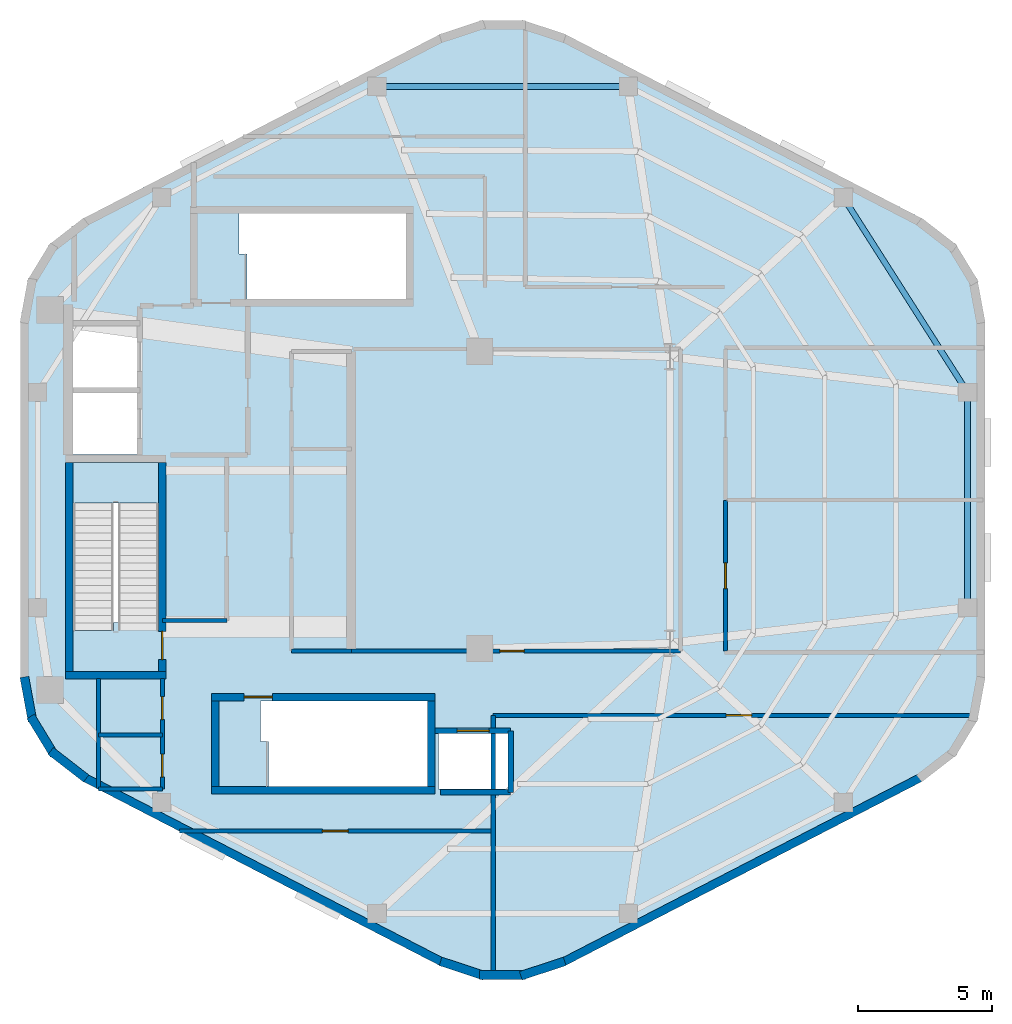
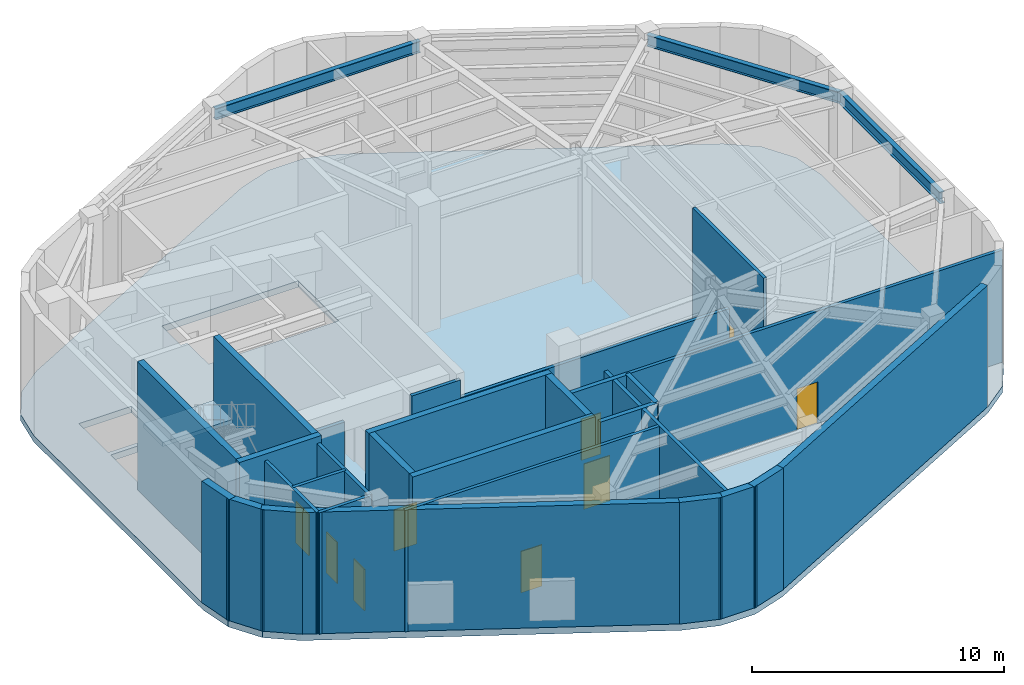
# One storey, part 2 of 5: 29 walls, 9 doors, 3 beams, 2 slabs, 9 openings, 1 element without a shape of its own.
"""IFC4 building model written with IfcOpenShell, lengths in metres."""

from ifc_helpers import new_model, si_unit, direction, frame, frame_2d, origin, origin_2d, place, context, subcontext, project, spatial, polyline, rectangle, i_section, outline, extrude, material, layer, layer_set, material_profile, profile_set, type_object, element, fill, aggregate, save


model = new_model("IFC4")

# Units and contexts
model_context = context("Model", 3, precision=1e-05, world=origin(), true_north=direction((0.0, 1.0)))
body_context = subcontext(model_context, "Body", "Model", "MODEL_VIEW")
ifc_project = project(units=[si_unit("LENGTHUNIT", "METRE"), si_unit("AREAUNIT", "SQUARE_METRE"), si_unit("VOLUMEUNIT", "CUBIC_METRE"), si_unit("PLANEANGLEUNIT", "RADIAN"), si_unit("MASSUNIT", "GRAM", prefix="KILO"), si_unit("THERMODYNAMICTEMPERATUREUNIT", "KELVIN"), si_unit("POWERUNIT", "WATT")], contexts=[model_context])

# Site, building, storey
site_placement = place(None, origin())
site = spatial("IfcSite", under=ifc_project, at=site_placement, CompositionType="ELEMENT")
building_placement = place(site_placement, origin())
building = spatial("IfcBuilding", under=site, at=building_placement, Name="Skarre Station Tower", CompositionType="ELEMENT")
storey_placement = place(building_placement, frame((0.0, 0.0, 285.10009765625)))
storey = spatial("IfcBuildingStorey", under=building, at=storey_placement, Name="L77", CompositionType="ELEMENT", Elevation=285.10009765625)

# Beams
ifc_material_1 = material(Name="Steel ASTM A992 Grade 50", Category="steel")
ifc_material_profile = material_profile(ifc_material_1, i_section(OverallWidth=0.214111328125, OverallDepth=0.549072265625, WebThickness=0.014892578125, FlangeThickness=0.02392578125, at=origin_2d()), Name="Steel ASTM A992 Grade 50")
ifc_profile_set = profile_set([ifc_material_profile], Name="Steel ASTM A992 Grade 50")
beam_type = type_object("IfcBeamType", Name="Steel Spandrel W21X93", PredefinedType="SPANDREL", material=ifc_profile_set)
beam_1_placement = place(storey_placement, frame((37.888916015625, 39.447021484375, 5.60595703125), z_axis=(-1.0, 0.0, 0.0), x_axis=(0.0, -1.0, 0.0)))
element("IfcBeam", 1, at=beam_1_placement, inside=storey, type_object=beam_type, Name="L77 Facet Spandrel Beam 2", PredefinedType="SPANDREL", context=body_context, shape_type="SweptSolid", body=[
    extrude(i_section(OverallWidth=0.214111328125, OverallDepth=0.549072265625, WebThickness=0.014892578125, FlangeThickness=0.02392578125, at=origin_2d()), origin(), (0.0, 0.0, 1.0), 9.3779296875),
])
beam_2_placement = place(storey_placement, frame((50.56298828125, 19.97900390625, 5.60595703125), z_axis=(0.0, 1.0, 0.0), x_axis=(-1.0, 0.0, 0.0)))
element("IfcBeam", 2, at=beam_2_placement, inside=storey, type_object=beam_type, Name="L77 Facet Spandrel Beam 11", PredefinedType="SPANDREL", context=body_context, shape_type="SweptSolid", body=[
    extrude(i_section(OverallWidth=0.214111328125, OverallDepth=0.549072265625, WebThickness=0.014892578125, FlangeThickness=0.02392578125, at=origin_2d()), origin(), (0.0, 0.0, 1.0), 8.0419921875),
])
beam_3_placement = place(storey_placement, frame((50.56298828125, 28.02099609375, 5.60595703125), z_axis=(-0.537296523663, 0.843393410965, 0.0), x_axis=(-0.843393410965, -0.537296523663, 0.0)))
element("IfcBeam", 3, at=beam_3_placement, inside=storey, type_object=beam_type, Name="L77 Facet Spandrel Beam 12", PredefinedType="SPANDREL", context=body_context, shape_type="SweptSolid", body=[
    extrude(i_section(OverallWidth=0.214111328125, OverallDepth=0.549072265625, WebThickness=0.014892578125, FlangeThickness=0.02392578125, at=origin_2d()), origin(), (0.0, 0.0, 1.0), 8.62841796875),
])

# Slab
ifc_material_2 = material(Name="Concrete C50/60", Category="concrete")
ifc_layer_1 = layer(ifc_material_2, 0.31005859375, Name="Concrete C50/60")
ifc_layer_set_1 = layer_set([ifc_layer_1], Name="Concrete C50/60")
slab_type_1 = type_object("IfcSlabType", Name="Podium & Plant Structural Slab 310", PredefinedType="FLOOR", material=ifc_layer_set_1)
slab_1_placement = place(storey_placement, frame((0.0, 0.0, -0.31005859375)))
element("IfcSlab", 4, at=slab_1_placement, inside=storey, type_object=slab_type_1, Name="L77 Zone 4 Structural Floor Slab", PredefinedType="FLOOR", context=body_context, shape_type="SweptSolid", body=[
    extrude(outline(polyline([(51.212890625, 30.701904296875), (50.93310546875, 32.222900390625), (50.1279296875, 33.544921875), (48.905029296875, 34.491943359375), (35.508056640625, 41.407958984375), (33.99609375, 41.906005859375), (32.404052734375, 41.906005859375), (30.89208984375, 41.407958984375), (17.4951171875, 34.491943359375), (16.27197265625, 33.544921875), (15.467041015625, 32.222900390625), (15.18701171875, 30.701904296875), (15.18701171875, 17.298095703125), (15.467041015625, 15.777099609375), (16.27197265625, 14.455078125), (17.4951171875, 13.508056640625), (30.89208984375, 6.592041015625), (32.404052734375, 6.093994140625), (33.99609375, 6.093994140625), (35.508056640625, 6.592041015625), (48.905029296875, 13.508056640625), (50.1279296875, 14.455078125), (50.93310546875, 15.777099609375), (51.212890625, 17.298095703125), (51.212890625, 30.701904296875)]), holes=[polyline([(18.669921875, 19.419921875), (18.669921875, 19.123046875), (17.14990234375, 19.123046875), (17.14990234375, 25.39990234375), (20.35009765625, 25.39990234375), (20.35009765625, 19.419921875), (18.669921875, 19.419921875)]), polyline([(24.449951171875, 14.97998046875), (24.153076171875, 14.97998046875), (24.153076171875, 16.5), (30.39990234375, 16.5), (30.39990234375, 13.300048828125), (24.449951171875, 13.300048828125), (24.449951171875, 14.97998046875)]), polyline([(23.64990234375, 33.179931640625), (23.35302734375, 33.179931640625), (23.35302734375, 34.699951171875), (29.60009765625, 34.699951171875), (29.60009765625, 31.5), (23.64990234375, 31.5), (23.64990234375, 33.179931640625)]), polyline([(17.14990234375, 28.0), (19.550048828125, 28.0), (19.550048828125, 25.699951171875), (17.14990234375, 25.699951171875), (17.14990234375, 28.0)]), polyline([(17.14990234375, 30.5), (19.550048828125, 30.5), (19.550048828125, 28.199951171875), (17.14990234375, 28.199951171875), (17.14990234375, 30.5)]), polyline([(30.800048828125, 15.300048828125), (33.39990234375, 15.300048828125), (33.39990234375, 13.199951171875), (30.800048828125, 13.199951171875), (30.800048828125, 15.300048828125)])]), origin(), (0.0, 0.0, 1.0), 0.31005859375),
])

# Stair, slab
ifc_material_3 = material(Name="Concrete C40/50", Category="concrete")
stair_type = type_object("IfcStairType", Name="Reinforced Concrete Exit Stair ST-1", PredefinedType="HALF_TURN_STAIR", material=ifc_material_3)
stair_placement = place(storey_placement, origin())
stair = element("IfcStair", 5, at=stair_placement, inside=storey, type_object=stair_type, Name="L77 Core Exit Stair ST-1", PredefinedType="HALF_TURN_STAIR")
ifc_layer_2 = layer(ifc_material_3, 0.219970703125, Name="Concrete C40/50")
ifc_layer_set_2 = layer_set([ifc_layer_2], Name="Concrete C40/50")
slab_type_2 = type_object("IfcSlabType", Name="Reinforced Concrete Stair & Ramp Landing 220", PredefinedType="LANDING", material=ifc_layer_set_2)
slab_2_placement = place(storey_placement, frame((0.0, 0.0, 2.89990234375)))
slab_2 = element("IfcSlab", 6, at=slab_2_placement, type_object=slab_type_2, Name="ST-1 landing 1", PredefinedType="LANDING", context=body_context, shape_type="SweptSolid", body=[
    extrude(outline(polyline([(20.35009765625, 23.8798828125), (20.35009765625, 25.39990234375), (17.14990234375, 25.39990234375), (17.14990234375, 23.8798828125), (20.35009765625, 23.8798828125)])), origin(), (0.0, 0.0, 1.0), 0.199951171875),
])
aggregate(stair, [slab_2])

# Walls
ifc_material_4 = material(Name="Acoustic Steel-Stud Gypsum Partition", Category="steel")
ifc_layer_3 = layer(ifc_material_4, 0.14990234375, Name="Acoustic Steel-Stud Gypsum Partition")
ifc_layer_set_3 = layer_set([ifc_layer_3], Name="Acoustic Steel-Stud Gypsum Partition")
wall_type_1 = type_object("IfcWallType", Name="Fire-Rated Corridor Acoustic Partition 150", PredefinedType="PARTITIONING", material=ifc_layer_set_3)
wall_1_placement = place(storey_placement, frame((20.489990234375, 19.5, 0.0), z_axis=(0.0, 0.0, 1.0), x_axis=(1.0, 0.0, 0.0)))
element("IfcWall", 7, at=wall_1_placement, inside=storey, type_object=wall_type_1, Name="L77 Interior Partition WL-PT-L77-B3-S", PredefinedType="PARTITIONING", context=body_context, shape_type="SweptSolid", body=[
    extrude(rectangle(XDim=2.409912109375, YDim=0.159912109375, at=frame_2d((1.205078125, 0.0))), origin(), (0.0, 0.0, 1.0), 4.77978515625),
])
wall_2_placement = place(storey_placement, frame((25.320068359375, 18.360107421875, 0.0), z_axis=(0.0, 0.0, 1.0), x_axis=(1.0, 0.0, 0.0)))
element("IfcWall", 8, at=wall_2_placement, inside=storey, type_object=wall_type_1, Name="L77 Interior Partition WL-PT-L77-RC2-S", PredefinedType="PARTITIONING", context=body_context, shape_type="SweptSolid", body=[
    extrude(rectangle(XDim=2.22998046875, YDim=0.14990234375, at=frame_2d((1.114990234375, 0.0))), origin(), (0.0, 0.0, 1.0), 5.8798828125),
])
wall_3_placement = place(storey_placement, frame((18.10009765625, 17.340087890625, 0.0), z_axis=(0.0, 0.0, 1.0), x_axis=(0.0, -1.0, 0.0)))
element("IfcWall", 9, at=wall_3_placement, inside=storey, type_object=wall_type_1, Name="L77 Interior Partition WL-PT-L77-CSVC-W", PredefinedType="PARTITIONING", context=body_context, shape_type="SweptSolid", body=[
    extrude(rectangle(XDim=4.133056640625, YDim=0.14990234375, at=frame_2d((2.06640625, 0.0))), origin(), (0.0, 0.0, 1.0), 5.8798828125),
])
wall_4_placement = place(storey_placement, frame((18.113037109375, 13.199951171875, 0.0), z_axis=(0.0, 0.0, 1.0), x_axis=(1.0, 0.0, 0.0)))
element("IfcWall", 10, at=wall_4_placement, inside=storey, type_object=wall_type_1, Name="L77 Interior Partition WL-PT-L77-CSVC-S", PredefinedType="PARTITIONING", context=body_context, shape_type="SweptSolid", body=[
    extrude(rectangle(XDim=2.376953125, YDim=0.14990234375, at=frame_2d((1.1884765625, 0.0))), origin(), (0.0, 0.0, 1.0), 5.8798828125),
])
wall_5_placement = place(storey_placement, frame((18.10009765625, 15.219970703125, 0.0), z_axis=(0.0, 0.0, 1.0), x_axis=(1.0, 0.0, 0.0)))
element("IfcWall", 11, at=wall_5_placement, inside=storey, type_object=wall_type_1, Name="L77 Interior Partition WL-PT-L77-CSVC-M", PredefinedType="PARTITIONING", context=body_context, shape_type="SweptSolid", body=[
    extrude(rectangle(XDim=2.389892578125, YDim=0.14990234375, at=frame_2d((1.19482421875, 0.0))), origin(), (0.0, 0.0, 1.0), 5.8798828125),
])

# Wall, openings, doors
wall_6_placement = place(storey_placement, frame((20.489990234375, 13.199951171875, 0.0), z_axis=(0.0, 0.0, 1.0), x_axis=(0.0, 1.0, 0.0)))
wall_6 = element("IfcWall", 12, at=wall_6_placement, inside=storey, type_object=wall_type_1, Name="L77 Interior Partition WL-PT-L77-CSVC-E", PredefinedType="PARTITIONING", context=body_context, shape_type="SweptSolid", body=[
    extrude(rectangle(XDim=4.14013671875, YDim=0.14990234375, at=frame_2d((2.070068359375, 0.0))), origin(), (0.0, 0.0, 1.0), 5.8798828125),
])
opening_1_placement = place(wall_6_placement, frame((0.449951171875, 0.0, 0.0)))
opening_1 = element("IfcOpeningElement", 13, at=opening_1_placement, cuts=wall_6, Name="Opening DR-SVC86", PredefinedType="OPENING", context=body_context, shape_type="SweptSolid", body=[
    extrude(rectangle(XDim=0.860107421875, YDim=2.0, at=frame_2d((0.43017578125, 1.0))), frame((0.0, 0.0849609375, 0.0), z_axis=(0.0, -1.0, 0.0), x_axis=(1.0, 0.0, 0.0)), (0.0, 0.0, 1.0), 0.169921875),
])
opening_2_placement = place(wall_6_placement, frame((2.60009765625, 0.0, 0.0)))
opening_2 = element("IfcOpeningElement", 14, at=opening_2_placement, cuts=wall_6, Name="Opening DR-SVC86", PredefinedType="OPENING", context=body_context, shape_type="SweptSolid", body=[
    extrude(rectangle(XDim=0.860107421875, YDim=2.0, at=frame_2d((0.43017578125, 1.0))), frame((0.0, 0.0849609375, 0.0), z_axis=(0.0, -1.0, 0.0), x_axis=(1.0, 0.0, 0.0)), (0.0, 0.0, 1.0), 0.169921875),
])
ifc_material_5 = material(Name="Powder-Coated Hollow-Metal Acoustic Fire Leaf", Category="steel")
door_type_1 = type_object("IfcDoorType", Name="Compact Riser Fire Door FD60 860x2100", OperationType="SINGLE_SWING_LEFT", PredefinedType="DOOR", material=ifc_material_5)
door_1_placement = place(opening_1_placement, origin())
door_1 = element("IfcDoor", 15, at=door_1_placement, inside=storey, type_object=door_type_1, Name="L77 Vending Room Door", OperationType="SINGLE_SWING_LEFT", OverallHeight=2.0, OverallWidth=0.860107421875, PredefinedType="DOOR", context=body_context, shape_type="SweptSolid", body=[
    extrude(rectangle(XDim=0.860107421875, YDim=2.0, at=frame_2d((0.43017578125, 1.0))), frame((0.0, 0.02490234375, 0.0), z_axis=(0.0, -1.0, 0.0), x_axis=(1.0, 0.0, 0.0)), (0.0, 0.0, 1.0), 0.050048828125),
])
fill(opening_1, door_1)
door_2_placement = place(opening_2_placement, origin())
door_2 = element("IfcDoor", 16, at=door_2_placement, inside=storey, type_object=door_type_1, Name="L77 Linen Storage Door", OperationType="SINGLE_SWING_LEFT", OverallHeight=2.0, OverallWidth=0.860107421875, PredefinedType="DOOR", context=body_context, shape_type="SweptSolid", body=[
    extrude(rectangle(XDim=0.860107421875, YDim=2.0, at=frame_2d((0.43017578125, 1.0))), frame((0.0, 0.02490234375, 0.0), z_axis=(0.0, -1.0, 0.0), x_axis=(1.0, 0.0, 0.0)), (0.0, 0.0, 1.0), 0.050048828125),
])
fill(opening_2, door_2)

# Wall, opening, door
wall_7_placement = place(storey_placement, frame((27.550048828125, 18.360107421875, 0.0), z_axis=(0.0, 0.0, 1.0), x_axis=(1.0, 0.0, 0.0)))
wall_7 = element("IfcWall", 17, at=wall_7_placement, inside=storey, type_object=wall_type_1, Name="L77 Interior Partition WL-PT-L77-ATRW-S", PredefinedType="PARTITIONING", context=body_context, shape_type="SweptSolid", body=[
    extrude(rectangle(XDim=12.2900390625, YDim=0.14990234375, at=frame_2d((6.14501953125, 0.0))), origin(), (0.0, 0.0, 1.0), 5.02099609375),
])
opening_3_placement = place(wall_7_placement, frame((5.550048828125, 0.0, 0.0)))
opening_3 = element("IfcOpeningElement", 18, at=opening_3_placement, cuts=wall_7, Name="Opening DR-SVC90", PredefinedType="OPENING", context=body_context, shape_type="SweptSolid", body=[
    extrude(rectangle(XDim=0.89990234375, YDim=2.0, at=frame_2d((0.449951171875, 1.0))), frame((0.0, 0.0849609375, 0.0), z_axis=(0.0, -1.0, 0.0), x_axis=(1.0, 0.0, 0.0)), (0.0, 0.0, 1.0), 0.169921875),
])
door_type_2 = type_object("IfcDoorType", Name="Service & Riser Fire Door FD60 900x2100", OperationType="SINGLE_SWING_LEFT", PredefinedType="DOOR", material=ifc_material_5)
door_3_placement = place(opening_3_placement, origin())
door_3 = element("IfcDoor", 19, at=door_3_placement, inside=storey, type_object=door_type_2, Name="L77 Central Chiller Plant Door", OperationType="SINGLE_SWING_LEFT", OverallHeight=2.0, OverallWidth=0.89990234375, PredefinedType="DOOR", context=body_context, shape_type="SweptSolid", body=[
    extrude(rectangle(XDim=0.89990234375, YDim=2.0, at=frame_2d((0.449951171875, 1.0))), frame((0.0, 0.02490234375, 0.0), z_axis=(0.0, -1.0, 0.0), x_axis=(1.0, 0.0, 0.0)), (0.0, 0.0, 1.0), 0.050048828125),
])
fill(opening_3, door_3)

wall_8_placement = place(storey_placement, frame((32.85009765625, 11.639892578125, 0.0), z_axis=(0.0, 0.0, 1.0), x_axis=(-1.0, 0.0, 0.0)))
wall_8 = element("IfcWall", 20, at=wall_8_placement, inside=storey, type_object=wall_type_1, Name="L77 Interior Partition WL-PT-L77-PLTSW1-CW", PredefinedType="PARTITIONING", context=body_context, shape_type="SweptSolid", body=[
    extrude(rectangle(XDim=11.715087890625, YDim=0.14990234375, at=frame_2d((5.857421875, 0.0))), origin(), (0.0, 0.0, 1.0), 5.8798828125),
])
opening_4_placement = place(wall_8_placement, frame((5.4208984375, 0.0, 0.0)))
opening_4 = element("IfcOpeningElement", 21, at=opening_4_placement, cuts=wall_8, Name="Opening DR-FD60", PredefinedType="OPENING", context=body_context, shape_type="SweptSolid", body=[
    extrude(rectangle(XDim=0.9599609375, YDim=2.0, at=frame_2d((0.47998046875, 1.0))), frame((0.0, 0.0849609375, 0.0), z_axis=(0.0, -1.0, 0.0), x_axis=(1.0, 0.0, 0.0)), (0.0, 0.0, 1.0), 0.169921875),
])
ifc_material_6 = material(Name="Nordic White-Oak Veneer Solid-Core Fire Leaf", Category="wood")
door_type_3 = type_object("IfcDoorType", Name="Corridor Suite Entry Fire Door FD60 960x2150", OperationType="SINGLE_SWING_LEFT", PredefinedType="DOOR", material=ifc_material_6)
door_4_placement = place(opening_4_placement, origin())
door_4 = element("IfcDoor", 22, at=door_4_placement, inside=storey, type_object=door_type_3, Name="L77 PLTSW1 Entry Door", OperationType="SINGLE_SWING_LEFT", OverallHeight=2.0, OverallWidth=0.9599609375, PredefinedType="DOOR", context=body_context, shape_type="SweptSolid", body=[
    extrude(rectangle(XDim=0.9599609375, YDim=2.0, at=frame_2d((0.47998046875, 1.0))), frame((0.0, 0.02490234375, 0.0), z_axis=(0.0, -1.0, 0.0), x_axis=(1.0, 0.0, 0.0)), (0.0, 0.0, 1.0), 0.050048828125),
])
fill(opening_4, door_4)

wall_9_placement = place(storey_placement, frame((41.52001953125, 18.360107421875, 0.0), z_axis=(0.0, 0.0, 1.0), x_axis=(0.0, 1.0, 0.0)))
wall_9 = element("IfcWall", 23, at=wall_9_placement, inside=storey, type_object=wall_type_1, Name="L77 Interior Partition WL-PT-L77-PLTE1-CW", PredefinedType="PARTITIONING", context=body_context, shape_type="SweptSolid", body=[
    extrude(rectangle(XDim=5.621826171875, YDim=0.14990234375, at=frame_2d((2.81103515625, 0.0))), origin(), (0.0, 0.0, 1.0), 5.8798828125),
])
opening_5_placement = place(wall_9_placement, frame((2.3310546875, 0.0, 0.0)))
opening_5 = element("IfcOpeningElement", 24, at=opening_5_placement, cuts=wall_9, Name="Opening DR-FD60", PredefinedType="OPENING", context=body_context, shape_type="SweptSolid", body=[
    extrude(rectangle(XDim=0.9599609375, YDim=2.0, at=frame_2d((0.47998046875, 1.0))), frame((0.0, 0.0849609375, 0.0), z_axis=(0.0, -1.0, 0.0), x_axis=(1.0, 0.0, 0.0)), (0.0, 0.0, 1.0), 0.169921875),
])
door_5_placement = place(opening_5_placement, origin())
door_5 = element("IfcDoor", 25, at=door_5_placement, inside=storey, type_object=door_type_3, Name="L77 PLTE1 Entry Door", OperationType="SINGLE_SWING_LEFT", OverallHeight=2.0, OverallWidth=0.9599609375, PredefinedType="DOOR", context=body_context, shape_type="SweptSolid", body=[
    extrude(rectangle(XDim=0.9599609375, YDim=2.0, at=frame_2d((0.47998046875, 1.0))), frame((0.0, 0.02490234375, 0.0), z_axis=(0.0, -1.0, 0.0), x_axis=(1.0, 0.0, 0.0)), (0.0, 0.0, 1.0), 0.050048828125),
])
fill(opening_5, door_5)

wall_10_placement = place(storey_placement, frame((32.85009765625, 15.9599609375, 0.0), z_axis=(0.0, 0.0, 1.0), x_axis=(1.0, 0.0, 0.0)))
wall_10 = element("IfcWall", 26, at=wall_10_placement, inside=storey, type_object=wall_type_1, Name="L77 Interior Partition WL-PT-L77-PLTS1-CW", PredefinedType="PARTITIONING", context=body_context, shape_type="SweptSolid", body=[
    extrude(rectangle(XDim=18.10693359375, YDim=0.14990234375, at=frame_2d((9.053466796875, 0.0))), origin(), (0.0, 0.0, 1.0), 5.4228515625),
])
opening_6_placement = place(wall_10_placement, frame((8.693115234375, 0.0, 0.0)))
opening_6 = element("IfcOpeningElement", 27, at=opening_6_placement, cuts=wall_10, Name="Opening DR-FD60", PredefinedType="OPENING", context=body_context, shape_type="SweptSolid", body=[
    extrude(rectangle(XDim=0.9599609375, YDim=2.0, at=frame_2d((0.47998046875, 1.0))), frame((0.0, 0.0849609375, 0.0), z_axis=(0.0, -1.0, 0.0), x_axis=(1.0, 0.0, 0.0)), (0.0, 0.0, 1.0), 0.169921875),
])
door_6_placement = place(opening_6_placement, origin())
door_6 = element("IfcDoor", 28, at=door_6_placement, inside=storey, type_object=door_type_3, Name="L77 PLTS1 Entry Door", OperationType="SINGLE_SWING_LEFT", OverallHeight=2.0, OverallWidth=0.9599609375, PredefinedType="DOOR", context=body_context, shape_type="SweptSolid", body=[
    extrude(rectangle(XDim=0.9599609375, YDim=2.0, at=frame_2d((0.47998046875, 1.0))), frame((0.0, 0.02490234375, 0.0), z_axis=(0.0, -1.0, 0.0), x_axis=(1.0, 0.0, 0.0)), (0.0, 0.0, 1.0), 0.050048828125),
])
fill(opening_6, door_6)

# Walls
ifc_material_7 = material(Name="Precast concrete C45/55", Category="concrete")
ifc_layer_4 = layer(ifc_material_7, 0.330078125, Name="Precast concrete C45/55")
ifc_layer_set_4 = layer_set([ifc_layer_4], Name="Precast concrete C45/55")
wall_type_2 = type_object("IfcWallType", Name="Nordic Rounded Corner Precast Wall 330", PredefinedType="STANDARD", material=ifc_layer_set_4)
wall_11_placement = place(storey_placement, frame((17.64697265625, 13.59912109375, 0.0), z_axis=(0.0, 0.0, 1.0), x_axis=(-0.790691856293, 0.61221433207, 0.0)))
element("IfcWall", 29, at=wall_11_placement, inside=storey, type_object=wall_type_2, Name="L77 Rounded Corner Precast Wall F3-1", PredefinedType="STANDARD", context=body_context, shape_type="SweptSolid", body=[
    extrude(rectangle(XDim=1.67578125, YDim=0.330078125, at=frame_2d((0.837890625, 0.0))), origin(), (0.0, 0.0, 1.0), 5.8798828125),
])
wall_12_placement = place(storey_placement, frame((16.447021484375, 14.485107421875, 0.0), z_axis=(0.0, 0.0, 1.0), x_axis=(-0.520325409202, 0.853968072318, 0.0)))
element("IfcWall", 30, at=wall_12_placement, inside=storey, type_object=wall_type_2, Name="L77 Rounded Corner Precast Wall F3-2", PredefinedType="STANDARD", context=body_context, shape_type="SweptSolid", body=[
    extrude(rectangle(XDim=1.677978515625, YDim=0.330078125, at=frame_2d((0.8388671875, 0.0))), origin(), (0.0, 0.0, 1.0), 5.8798828125),
])
wall_13_placement = place(storey_placement, frame((15.64111328125, 15.742919921875, 0.0), z_axis=(0.0, 0.0, 1.0), x_axis=(-0.180832605401, 0.983513888475, 0.0)))
element("IfcWall", 31, at=wall_13_placement, inside=storey, type_object=wall_type_2, Name="L77 Rounded Corner Precast Wall F3-3", PredefinedType="STANDARD", context=body_context, shape_type="SweptSolid", body=[
    extrude(rectangle(XDim=1.6767578125, YDim=0.330078125, at=frame_2d((0.83837890625, 0.0))), origin(), (0.0, 0.0, 1.0), 5.8798828125),
])
wall_14_placement = place(storey_placement, frame((35.51806640625, 6.76904296875, 0.0), z_axis=(0.0, 0.0, 1.0), x_axis=(-0.949713440491, -0.313120393699, 0.0)))
element("IfcWall", 32, at=wall_14_placement, inside=storey, type_object=wall_type_2, Name="L77 Rounded Corner Precast Wall F4-1", PredefinedType="STANDARD", context=body_context, shape_type="SweptSolid", body=[
    extrude(rectangle(XDim=1.7216796875, YDim=0.330078125, at=frame_2d((0.86083984375, 0.0))), origin(), (0.0, 0.0, 1.0), 5.8798828125),
])
wall_15_placement = place(storey_placement, frame((34.06103515625, 6.259033203125, 0.0), z_axis=(0.0, 0.0, 1.0), x_axis=(-1.0, 0.0, 0.0)))
element("IfcWall", 33, at=wall_15_placement, inside=storey, type_object=wall_type_2, Name="L77 Rounded Corner Precast Wall F4-2", PredefinedType="STANDARD", context=body_context, shape_type="SweptSolid", body=[
    extrude(rectangle(XDim=1.721923828125, YDim=0.330078125, at=frame_2d((0.86083984375, 0.0))), origin(), (0.0, 0.0, 1.0), 5.8798828125),
])
wall_16_placement = place(storey_placement, frame((32.51708984375, 6.22998046875, 0.0), z_axis=(0.0, 0.0, 1.0), x_axis=(-0.949713440491, 0.313120393699, 0.0)))
element("IfcWall", 34, at=wall_16_placement, inside=storey, type_object=wall_type_2, Name="L77 Rounded Corner Precast Wall F4-3", PredefinedType="STANDARD", context=body_context, shape_type="SweptSolid", body=[
    extrude(rectangle(XDim=1.7216796875, YDim=0.330078125, at=frame_2d((0.86083984375, 0.0))), origin(), (0.0, 0.0, 1.0), 5.8798828125),
])
ifc_layer_5 = layer(ifc_material_7, 0.31005859375, Name="Precast concrete C45/55")
ifc_layer_set_5 = layer_set([ifc_layer_5], Name="Precast concrete C45/55")
wall_type_3 = type_object("IfcWallType", Name="Nordic Upper-Zone Precast Facet Wall 310", PredefinedType="STANDARD", material=ifc_layer_set_5)
for number, where, z_axis, x_axis, name in (
    (35, (30.962890625, 6.72998046875, 0.0), (0.0, 0.0, 1.0), (-0.888581481622, 0.458718814218, 0.0), "L77 Facet 3 Nordic Precast Masonry Wall"),
    (36, (48.833984375, 13.64599609375, 0.0), (0.0, 0.0, 1.0), (-0.888581481622, -0.458718814218, 0.0), "L77 Facet 4 Nordic Precast Masonry Wall"),
):
    element("IfcWall", number, at=place(storey_placement, frame(where, z_axis=z_axis, x_axis=x_axis)), inside=storey, type_object=wall_type_3, Name=name, PredefinedType="STANDARD", context=body_context, shape_type="SweptSolid", body=[
        extrude(rectangle(XDim=15.076904296875, YDim=0.31005859375, at=frame_2d((7.53857421875, 0.0))), origin(), (0.0, 0.0, 1.0), 5.8798828125),
    ])
ifc_layer_6 = layer(ifc_material_2, 0.280029296875, Name="Concrete C50/60")
ifc_layer_set_6 = layer_set([ifc_layer_6], Name="Concrete C50/60")
wall_type_4 = type_object("IfcWallType", Name="RC Core Shear Wall 280", PredefinedType="SHEAR", material=ifc_layer_set_6)
wall_17_placement = place(storey_placement, frame((16.8701171875, 17.4599609375, 0.0), z_axis=(0.0, 0.0, 1.0), x_axis=(1.0, 0.0, 0.0)))
element("IfcWall", 37, at=wall_17_placement, inside=storey, type_object=wall_type_4, Name="L77 Stair ST-1 South Shear Wall", PredefinedType="SHEAR", context=body_context, shape_type="SweptSolid", body=[
    extrude(rectangle(XDim=3.759765625, YDim=0.280029296875, at=frame_2d((1.8798828125, 0.0))), origin(), (0.0, 0.0, 1.0), 6.199951171875),
])
wall_18_placement = place(storey_placement, frame((17.010009765625, 25.39990234375, 0.0), z_axis=(0.0, 0.0, 1.0), x_axis=(0.0, -1.0, 0.0)))
element("IfcWall", 38, at=wall_18_placement, inside=storey, type_object=wall_type_4, Name="L77 Stair ST-1 West Shear Wall", PredefinedType="SHEAR", context=body_context, shape_type="SweptSolid", body=[
    extrude(rectangle(XDim=7.7998046875, YDim=0.280029296875, at=frame_2d((3.89990234375, 0.0))), origin(), (0.0, 0.0, 1.0), 6.199951171875),
])

# Wall, opening, door
wall_19_placement = place(storey_placement, frame((20.489990234375, 17.60009765625, 0.0), z_axis=(0.0, 0.0, 1.0), x_axis=(0.0, 1.0, 0.0)))
wall_19 = element("IfcWall", 39, at=wall_19_placement, inside=storey, type_object=wall_type_4, Name="L77 Stair ST-1 East Shear Wall", PredefinedType="SHEAR", context=body_context, shape_type="SweptSolid", body=[
    extrude(rectangle(XDim=7.7998046875, YDim=0.280029296875, at=frame_2d((3.89990234375, 0.0))), origin(), (0.0, 0.0, 1.0), 6.199951171875),
])
opening_7_placement = place(wall_19_placement, frame((0.43994140625, 0.0, 0.0)))
opening_7 = element("IfcOpeningElement", 40, at=opening_7_placement, cuts=wall_19, Name="Opening DR-FD90", PredefinedType="OPENING", context=body_context, shape_type="SweptSolid", body=[
    extrude(rectangle(XDim=1.050048828125, YDim=2.0, at=frame_2d((0.52490234375, 1.0))), frame((0.0, 0.14990234375, 0.0), z_axis=(0.0, -1.0, 0.0), x_axis=(1.0, 0.0, 0.0)), (0.0, 0.0, 1.0), 0.300048828125),
])
ifc_material_8 = material(Name="Fire-Rated Insulated Steel Frame & Timber Core Leaf", Category="steel")
door_type_4 = type_object("IfcDoorType", Name="Stair & FSAE Lobby Fire Door FD90 1050x2150", OperationType="SINGLE_SWING_RIGHT", PredefinedType="DOOR", material=ifc_material_8)
door_7_placement = place(opening_7_placement, origin())
door_7 = element("IfcDoor", 41, at=door_7_placement, inside=storey, type_object=door_type_4, Name="L77 Stair ST-1 Exit Door", OperationType="SINGLE_SWING_RIGHT", OverallHeight=2.0, OverallWidth=1.050048828125, PredefinedType="DOOR", context=body_context, shape_type="SweptSolid", body=[
    extrude(rectangle(XDim=1.050048828125, YDim=2.0, at=frame_2d((0.52490234375, 1.0))), frame((0.0, 0.02490234375, 0.0), z_axis=(0.0, -1.0, 0.0), x_axis=(1.0, 0.0, 0.0)), (0.0, 0.0, 1.0), 0.050048828125),
])
fill(opening_7, door_7)

# Wall
wall_20_placement = place(storey_placement, frame((22.320068359375, 13.159912109375, 0.0), z_axis=(0.0, 0.0, 1.0), x_axis=(1.0, 0.0, 0.0)))
element("IfcWall", 42, at=wall_20_placement, inside=storey, type_object=wall_type_4, Name="L77 Stair ST-2 South Shear Wall", PredefinedType="SHEAR", context=body_context, shape_type="SweptSolid", body=[
    extrude(rectangle(XDim=8.35986328125, YDim=0.280029296875, at=frame_2d((4.179931640625, 0.0))), origin(), (0.0, 0.0, 1.0), 6.199951171875),
])

# Wall, opening, door
wall_21_placement = place(storey_placement, frame((30.679931640625, 16.639892578125, 0.0), z_axis=(0.0, 0.0, 1.0), x_axis=(-1.0, 0.0, 0.0)))
wall_21 = element("IfcWall", 43, at=wall_21_placement, inside=storey, type_object=wall_type_4, Name="L77 Stair ST-2 North Shear Wall", PredefinedType="SHEAR", context=body_context, shape_type="SweptSolid", body=[
    extrude(rectangle(XDim=8.35986328125, YDim=0.280029296875, at=frame_2d((4.179931640625, 0.0))), origin(), (0.0, 0.0, 1.0), 6.199951171875),
])
opening_8_placement = place(wall_21_placement, frame((6.080078125, 0.0, 0.0)))
opening_8 = element("IfcOpeningElement", 44, at=opening_8_placement, cuts=wall_21, Name="Opening DR-FD90", PredefinedType="OPENING", context=body_context, shape_type="SweptSolid", body=[
    extrude(rectangle(XDim=1.050048828125, YDim=2.0, at=frame_2d((0.52490234375, 1.0))), frame((0.0, 0.14990234375, 0.0), z_axis=(0.0, -1.0, 0.0), x_axis=(1.0, 0.0, 0.0)), (0.0, 0.0, 1.0), 0.300048828125),
])
door_8_placement = place(opening_8_placement, origin())
door_8 = element("IfcDoor", 45, at=door_8_placement, inside=storey, type_object=door_type_4, Name="L77 Stair ST-2 Exit Door", OperationType="SINGLE_SWING_RIGHT", OverallHeight=2.0, OverallWidth=1.050048828125, PredefinedType="DOOR", context=body_context, shape_type="SweptSolid", body=[
    extrude(rectangle(XDim=1.050048828125, YDim=2.0, at=frame_2d((0.52490234375, 1.0))), frame((0.0, 0.02490234375, 0.0), z_axis=(0.0, -1.0, 0.0), x_axis=(1.0, 0.0, 0.0)), (0.0, 0.0, 1.0), 0.050048828125),
])
fill(opening_8, door_8)

# Walls
for number, where, z_axis, x_axis, name in (
    (46, (22.4599609375, 16.5, 0.0), (0.0, 0.0, 1.0), (0.0, -1.0, 0.0), "L77 Stair ST-2 West Shear Wall"),
    (47, (30.5400390625, 13.300048828125, 0.0), (0.0, 0.0, 1.0), (0.0, 1.0, 0.0), "L77 Stair ST-2 East Shear Wall"),
):
    element("IfcWall", number, at=place(storey_placement, frame(where, z_axis=z_axis, x_axis=x_axis)), inside=storey, type_object=wall_type_4, Name=name, PredefinedType="SHEAR", context=body_context, shape_type="SweptSolid", body=[
        extrude(rectangle(XDim=3.199951171875, YDim=0.280029296875, at=frame_2d((1.60009765625, 0.0))), origin(), (0.0, 0.0, 1.0), 6.199951171875),
    ])

# Wall, opening, door
ifc_material_9 = material(Name="Gypsum Concrete Shaft Assembly C30/37", Category="concrete")
ifc_layer_7 = layer(ifc_material_9, 0.199951171875, Name="Gypsum Concrete Shaft Assembly C30/37")
ifc_layer_set_7 = layer_set([ifc_layer_7], Name="Gypsum Concrete Shaft Assembly C30/37")
wall_type_5 = type_object("IfcWallType", Name="Shaft & Core Fire Partition 200", PredefinedType="PARTITIONING", material=ifc_layer_set_7)
wall_22_placement = place(storey_placement, frame((33.5, 15.3798828125, 0.0), z_axis=(0.0, 0.0, 1.0), x_axis=(-1.0, 0.0, 0.0)))
wall_22 = element("IfcWall", 48, at=wall_22_placement, inside=storey, type_object=wall_type_5, Name="L77 Interior Partition WL-PT-L77-SV1-N", PredefinedType="PARTITIONING", context=body_context, shape_type="SweptSolid", body=[
    extrude(rectangle(XDim=2.820068359375, YDim=0.199951171875, at=frame_2d((1.41015625, 0.0))), origin(), (0.0, 0.0, 1.0), 5.8798828125),
])
opening_9_placement = place(wall_22_placement, frame((0.800048828125, 0.0, 0.0)))
opening_9 = element("IfcOpeningElement", 49, at=opening_9_placement, cuts=wall_22, Name="Opening LD-SV1", PredefinedType="OPENING", context=body_context, shape_type="SweptSolid", body=[
    extrude(rectangle(XDim=1.199951171875, YDim=2.199951171875, at=frame_2d((0.60009765625, 1.10009765625))), frame((0.0, 0.10986328125, 0.0), z_axis=(0.0, -1.0, 0.0), x_axis=(1.0, 0.0, 0.0)), (0.0, 0.0, 1.0), 0.219970703125),
])
ifc_material_10 = material(Name="Heavy-Gauge Brushed Stainless Steel Sliding Leaves", Category="steel")
door_type_5 = type_object("IfcDoorType", Name="Service Elevator Wide Sliding Landing Door 1200x2200", OperationType="SLIDING_TO_RIGHT", PredefinedType="DOOR", material=ifc_material_10)
door_9_placement = place(opening_9_placement, origin())
door_9 = element("IfcDoor", 50, at=door_9_placement, inside=storey, type_object=door_type_5, Name="L77 Service Lift LF-SV1 Landing Door", OperationType="SLIDING_TO_RIGHT", OverallHeight=2.199951171875, OverallWidth=1.199951171875, PredefinedType="DOOR", context=body_context, shape_type="SweptSolid", body=[
    extrude(rectangle(XDim=1.199951171875, YDim=2.199951171875, at=frame_2d((0.60009765625, 1.10009765625))), frame((0.0, 0.02490234375, 0.0), z_axis=(0.0, -1.0, 0.0), x_axis=(1.0, 0.0, 0.0)), (0.0, 0.0, 1.0), 0.050048828125),
])
fill(opening_9, door_9)

# Walls
wall_23_placement = place(storey_placement, frame((33.5, 13.080078125, 0.0), z_axis=(0.0, 0.0, 1.0), x_axis=(0.0, 1.0, 0.0)))
element("IfcWall", 51, at=wall_23_placement, inside=storey, type_object=wall_type_5, Name="L77 Interior Partition WL-PT-L77-SV1-E", PredefinedType="PARTITIONING", context=body_context, shape_type="SweptSolid", body=[
    extrude(rectangle(XDim=2.2998046875, YDim=0.199951171875, at=frame_2d((1.14990234375, 0.0))), origin(), (0.0, 0.0, 1.0), 5.8798828125),
])
wall_24_placement = place(storey_placement, frame((30.87890625, 13.080078125, 0.0), z_axis=(0.0, 0.0, 1.0), x_axis=(1.0, 0.0, 0.0)))
element("IfcWall", 52, at=wall_24_placement, inside=storey, type_object=wall_type_5, Name="L77 Interior Partition WL-PT-L77-SV1-S", PredefinedType="PARTITIONING", context=body_context, shape_type="SweptSolid", body=[
    extrude(rectangle(XDim=2.62109375, YDim=0.199951171875, at=frame_2d((1.310546875, 0.0))), origin(), (0.0, 0.0, 1.0), 5.8798828125),
])
ifc_layer_8 = layer(ifc_material_4, 0.1650390625, Name="Acoustic Steel-Stud Gypsum Partition")
ifc_layer_set_8 = layer_set([ifc_layer_8], Name="Acoustic Steel-Stud Gypsum Partition")
wall_type_6 = type_object("IfcWallType", Name="Suite Demising Acoustic Partition 165", PredefinedType="PARTITIONING", material=ifc_layer_set_8)
wall_25_placement = place(storey_placement, frame((32.85009765625, 6.1240234375, 0.0), z_axis=(0.0, 0.0, 1.0), x_axis=(0.0, 1.0, 0.0)))
element("IfcWall", 53, at=wall_25_placement, inside=storey, type_object=wall_type_6, Name="L77 Interior Partition WL-PT-L77-PLTSW-E", PredefinedType="PARTITIONING", context=body_context, shape_type="SweptSolid", body=[
    extrude(rectangle(XDim=9.8359375, YDim=0.1650390625, at=frame_2d((4.91796875, 0.0))), origin(), (0.0, 0.0, 1.0), 5.8798828125),
])

save(model, "model.ifc")
